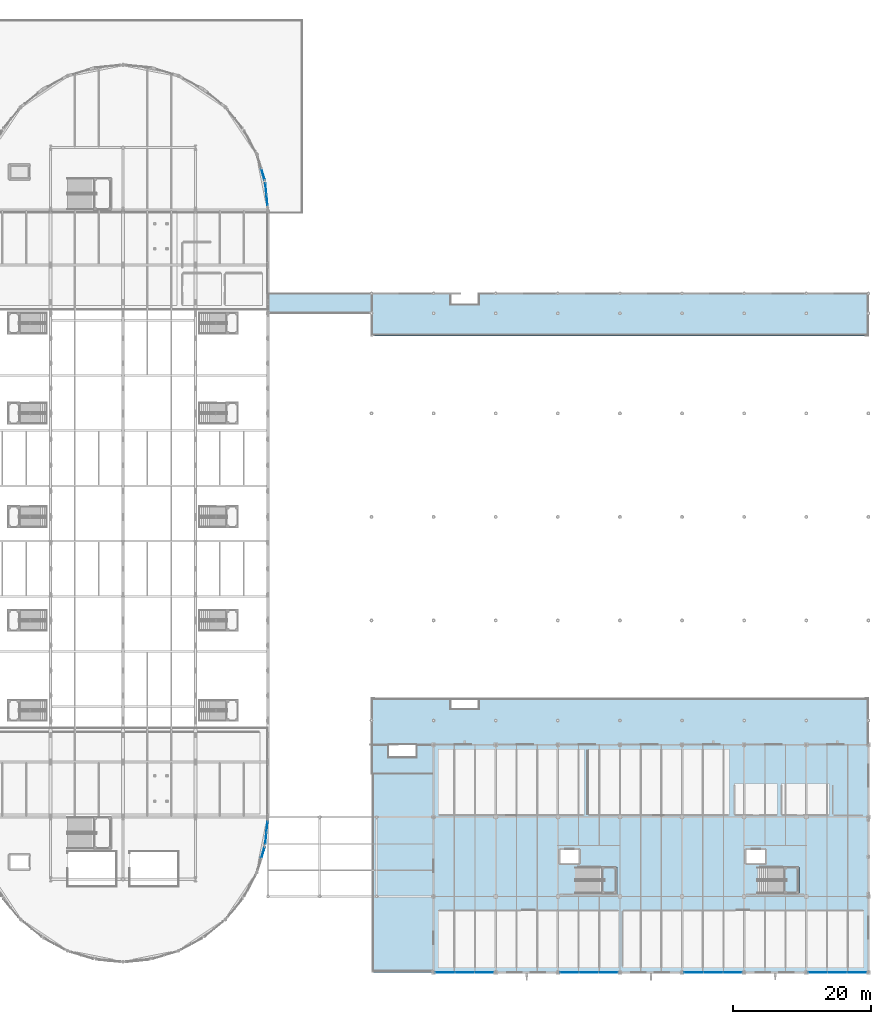
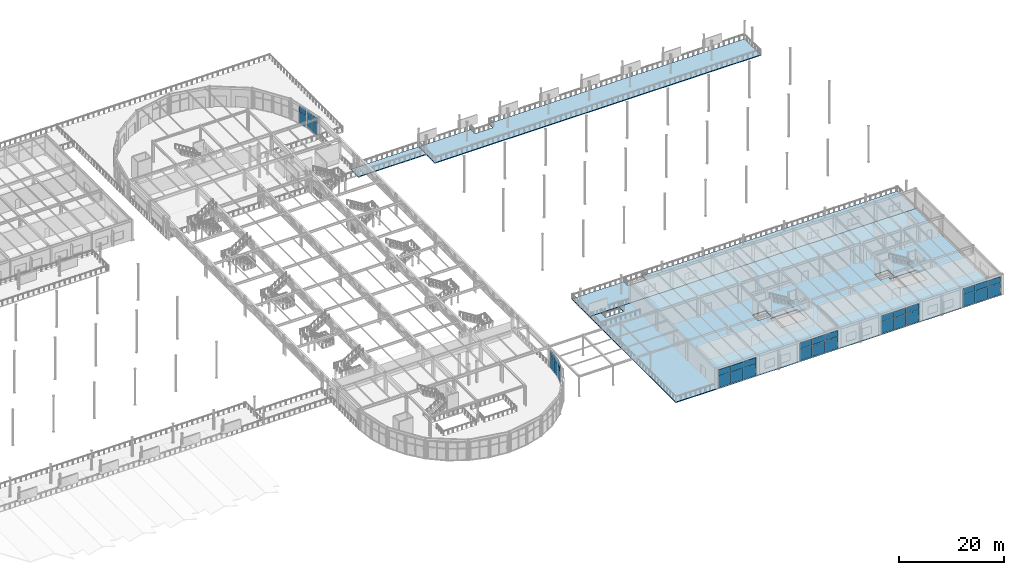
# One storey, part 75 of 143: 36 plates, 6 slabs, 10 elements without a shape of their own.
"""IFC4 building model written with IfcOpenShell, lengths in metres."""

from ifc_helpers import new_model, si_unit, direction, frame, origin, origin_2d, place, context, subcontext, project, spatial, polyline, rectangle, outline, extrude, material, layer, layer_set, type_object, element, aggregate, save


model = new_model("IFC4")

# Units and contexts
model_context = context("Model", 3, precision=1e-05, world=origin(), true_north=direction((0.0, 1.0)))
body_context = subcontext(model_context, "Body", "Model", "MODEL_VIEW")
ifc_project = project(units=[si_unit("LENGTHUNIT", "METRE"), si_unit("AREAUNIT", "SQUARE_METRE"), si_unit("VOLUMEUNIT", "CUBIC_METRE"), si_unit("PLANEANGLEUNIT", "RADIAN"), si_unit("MASSUNIT", "GRAM", prefix="KILO")], contexts=[model_context])

# Site, building, storey
site_placement = place(None, origin())
site = spatial("IfcSite", under=ifc_project, at=site_placement, CompositionType="ELEMENT")
building_placement = place(site_placement, origin())
building = spatial("IfcBuilding", under=site, at=building_placement, Name="Marlcrest Central Station", CompositionType="ELEMENT")
storey_placement = place(building_placement, frame((0.0, 0.0, 4.800048828125)))
storey = spatial("IfcBuildingStorey", under=building, at=storey_placement, Name="L01", CompositionType="ELEMENT", Elevation=4.800048828125)

# Curtain wall, plate
ifc_material_1 = material(Name="Anodised aluminium and hurricane laminated glass", Category="aluminium")
ifc_layer_1 = layer(ifc_material_1, 0.219970703125, Name="CW-U1")
ifc_layer_set_1 = layer_set([ifc_layer_1], Name="Anodised aluminium and hurricane laminated glass")
curtain_wall_type_1 = type_object("IfcCurtainWallType", Name="CW-U1", PredefinedType="USERDEFINED", material=ifc_layer_set_1)
curtain_wall_1_placement = place(storey_placement, origin())
curtain_wall_1 = element("IfcCurtainWall", 1, at=curtain_wall_1_placement, inside=storey, type_object=curtain_wall_type_1, Name="cw-L01-0023", ObjectType="UNITISED_CURTAIN_WALL", PredefinedType="USERDEFINED")
ifc_material_2 = material(Name="Hurricane laminated solar-control glass", Category="glass")
ifc_layer_2 = layer(ifc_material_2, 0.031982421875, Name="CP-01")
ifc_layer_set_2 = layer_set([ifc_layer_2], Name="Hurricane laminated solar-control glass")
plate_type_1 = type_object("IfcPlateType", Name="CP-01", PredefinedType="CURTAIN_PANEL", material=ifc_layer_set_2)
plate_1_placement = place(storey_placement, frame((128.28173828125, 17.3671875, 0.080078125), z_axis=(0.0, 0.0, 1.0), x_axis=(-0.290318080597, -0.956930202302, 0.0)))
plate_1 = element("IfcPlate", 2, at=plate_1_placement, type_object=plate_type_1, Name="cw-L01-0023-cp-lo-0", PredefinedType="CURTAIN_PANEL", context=body_context, shape_type="SweptSolid", body=[
    extrude(rectangle(XDim=1.67724609375, YDim=0.031982421875, at=origin_2d()), origin(), (0.0, 0.0, 1.0), 2.675048828125),
])

# Curtain wall, plates
curtain_wall_2_placement = place(storey_placement, origin())
curtain_wall_2 = element("IfcCurtainWall", 3, at=curtain_wall_2_placement, inside=storey, type_object=curtain_wall_type_1, Name="cw-L01-0024", ObjectType="UNITISED_CURTAIN_WALL", PredefinedType="USERDEFINED")
plate_2_placement = place(storey_placement, frame((128.85986328125, 21.07861328125, 0.080078125), z_axis=(0.0, 0.0, 1.0), x_axis=(-0.098138724349, -0.995172744192, 0.0)))
plate_2 = element("IfcPlate", 4, at=plate_2_placement, type_object=plate_type_1, Name="cw-L01-0024-cp-lo-0", PredefinedType="CURTAIN_PANEL", context=body_context, shape_type="SweptSolid", body=[
    extrude(rectangle(XDim=1.5791015625, YDim=0.031982421875, at=origin_2d()), origin(), (0.0, 0.0, 1.0), 2.675048828125),
])
plate_3_placement = place(storey_placement, frame((128.697509765625, 19.431396484375, 0.080078125), z_axis=(0.0, 0.0, 1.0), x_axis=(-0.098138724349, -0.995172744192, 0.0)))
plate_3 = element("IfcPlate", 5, at=plate_3_placement, type_object=plate_type_1, Name="cw-L01-0024-cp-lo-1", PredefinedType="CURTAIN_PANEL", context=body_context, shape_type="SweptSolid", body=[
    extrude(rectangle(XDim=1.5791015625, YDim=0.031982421875, at=origin_2d()), origin(), (0.0, 0.0, 1.0), 2.675048828125),
])

# Curtain wall, plate
curtain_wall_3_placement = place(storey_placement, origin())
curtain_wall_3 = element("IfcCurtainWall", 6, at=curtain_wall_3_placement, inside=storey, type_object=curtain_wall_type_1, Name="cw-L01-0065", ObjectType="UNITISED_CURTAIN_WALL", PredefinedType="USERDEFINED")
plate_4_placement = place(storey_placement, frame((128.28173828125, 115.6328125, 0.080078125), z_axis=(0.0, 0.0, 1.0), x_axis=(0.290318080597, -0.956930202302, 0.0)))
plate_4 = element("IfcPlate", 7, at=plate_4_placement, type_object=plate_type_1, Name="cw-L01-0065-cp-lo-1", PredefinedType="CURTAIN_PANEL", context=body_context, shape_type="SweptSolid", body=[
    extrude(rectangle(XDim=1.67724609375, YDim=0.031982421875, at=origin_2d()), origin(), (0.0, 0.0, 1.0), 2.675048828125),
])

# Curtain wall, plates
curtain_wall_4_placement = place(storey_placement, origin())
curtain_wall_4 = element("IfcCurtainWall", 8, at=curtain_wall_4_placement, inside=storey, type_object=curtain_wall_type_1, Name="cw-L01-0066", ObjectType="UNITISED_CURTAIN_WALL", PredefinedType="USERDEFINED")
plate_5_placement = place(storey_placement, frame((128.697509765625, 113.568603515625, 0.080078125), z_axis=(0.0, 0.0, 1.0), x_axis=(0.098138724349, -0.995172744192, 0.0)))
plate_5 = element("IfcPlate", 9, at=plate_5_placement, type_object=plate_type_1, Name="cw-L01-0066-cp-lo-0", PredefinedType="CURTAIN_PANEL", context=body_context, shape_type="SweptSolid", body=[
    extrude(rectangle(XDim=1.5791015625, YDim=0.031982421875, at=origin_2d()), origin(), (0.0, 0.0, 1.0), 2.675048828125),
])
plate_6_placement = place(storey_placement, frame((128.85986328125, 111.92138671875, 0.080078125), z_axis=(0.0, 0.0, 1.0), x_axis=(0.098138724349, -0.995172744192, 0.0)))
plate_6 = element("IfcPlate", 10, at=plate_6_placement, type_object=plate_type_1, Name="cw-L01-0066-cp-lo-1", PredefinedType="CURTAIN_PANEL", context=body_context, shape_type="SweptSolid", body=[
    extrude(rectangle(XDim=1.5791015625, YDim=0.031982421875, at=origin_2d()), origin(), (0.0, 0.0, 1.0), 2.675048828125),
])

ifc_layer_3 = layer(ifc_material_1, 0.179931640625, Name="CW-S1")
ifc_layer_set_3 = layer_set([ifc_layer_3], Name="Anodised aluminium and hurricane laminated glass")
curtain_wall_type_2 = type_object("IfcCurtainWallType", Name="CW-S1", PredefinedType="USERDEFINED", material=ifc_layer_set_3)
curtain_wall_5_placement = place(storey_placement, origin())
curtain_wall_5 = element("IfcCurtainWall", 11, at=curtain_wall_5_placement, inside=storey, type_object=curtain_wall_type_2, Name="cw-L01-0149", ObjectType="STICK_CURTAIN_WALL", PredefinedType="USERDEFINED")
ifc_layer_4 = layer(ifc_material_2, 0.035888671875, Name="CP-02")
ifc_layer_set_4 = layer_set([ifc_layer_4], Name="Hurricane laminated solar-control glass")
plate_type_2 = type_object("IfcPlateType", Name="CP-02", PredefinedType="CURTAIN_PANEL", material=ifc_layer_set_4)
plate_7_placement = place(storey_placement, frame((160.300048828125, 0.0, 0.079833984375), z_axis=(0.0, 0.0, 1.0), x_axis=(-1.0, 0.0, 0.0)))
plate_7 = element("IfcPlate", 12, at=plate_7_placement, type_object=plate_type_2, Name="cw-L01-0149-cp-lo-0", PredefinedType="CURTAIN_PANEL", context=body_context, shape_type="SweptSolid", body=[
    extrude(rectangle(XDim=2.73388671875, YDim=0.035888671875, at=origin_2d()), origin(), (0.0, 0.0, 1.0), 2.7080078125),
])
plate_8_placement = place(storey_placement, frame((157.5, 0.0, 0.079833984375), z_axis=(0.0, 0.0, 1.0), x_axis=(-1.0, 0.0, 0.0)))
plate_8 = element("IfcPlate", 13, at=plate_8_placement, type_object=plate_type_2, Name="cw-L01-0149-cp-lo-1", PredefinedType="CURTAIN_PANEL", context=body_context, shape_type="SweptSolid", body=[
    extrude(rectangle(XDim=2.73388671875, YDim=0.035888671875, at=origin_2d()), origin(), (0.0, 0.0, 1.0), 2.7080078125),
])
plate_9_placement = place(storey_placement, frame((154.699951171875, 0.0, 0.079833984375), z_axis=(0.0, 0.0, 1.0), x_axis=(-1.0, 0.0, 0.0)))
plate_9 = element("IfcPlate", 14, at=plate_9_placement, type_object=plate_type_2, Name="cw-L01-0149-cp-lo-2", PredefinedType="CURTAIN_PANEL", context=body_context, shape_type="SweptSolid", body=[
    extrude(rectangle(XDim=2.73388671875, YDim=0.035888671875, at=origin_2d()), origin(), (0.0, 0.0, 1.0), 2.7080078125),
])

curtain_wall_6_placement = place(storey_placement, origin())
curtain_wall_6 = element("IfcCurtainWall", 15, at=curtain_wall_6_placement, inside=storey, type_object=curtain_wall_type_2, Name="cw-L01-0150", ObjectType="STICK_CURTAIN_WALL", PredefinedType="USERDEFINED")
plate_10_placement = place(storey_placement, frame((178.300048828125, 0.0, 0.079833984375), z_axis=(0.0, 0.0, 1.0), x_axis=(-1.0, 0.0, 0.0)))
plate_10 = element("IfcPlate", 16, at=plate_10_placement, type_object=plate_type_2, Name="cw-L01-0150-cp-lo-0", PredefinedType="CURTAIN_PANEL", context=body_context, shape_type="SweptSolid", body=[
    extrude(rectangle(XDim=2.73388671875, YDim=0.035888671875, at=origin_2d()), origin(), (0.0, 0.0, 1.0), 2.7080078125),
])
plate_11_placement = place(storey_placement, frame((175.5, 0.0, 0.079833984375), z_axis=(0.0, 0.0, 1.0), x_axis=(-1.0, 0.0, 0.0)))
plate_11 = element("IfcPlate", 17, at=plate_11_placement, type_object=plate_type_2, Name="cw-L01-0150-cp-lo-1", PredefinedType="CURTAIN_PANEL", context=body_context, shape_type="SweptSolid", body=[
    extrude(rectangle(XDim=2.73388671875, YDim=0.035888671875, at=origin_2d()), origin(), (0.0, 0.0, 1.0), 2.7080078125),
])
plate_12_placement = place(storey_placement, frame((172.699951171875, 0.0, 0.079833984375), z_axis=(0.0, 0.0, 1.0), x_axis=(-1.0, 0.0, 0.0)))
plate_12 = element("IfcPlate", 18, at=plate_12_placement, type_object=plate_type_2, Name="cw-L01-0150-cp-lo-2", PredefinedType="CURTAIN_PANEL", context=body_context, shape_type="SweptSolid", body=[
    extrude(rectangle(XDim=2.73388671875, YDim=0.035888671875, at=origin_2d()), origin(), (0.0, 0.0, 1.0), 2.7080078125),
])

curtain_wall_7_placement = place(storey_placement, origin())
curtain_wall_7 = element("IfcCurtainWall", 19, at=curtain_wall_7_placement, inside=storey, type_object=curtain_wall_type_2, Name="cw-L01-0151", ObjectType="STICK_CURTAIN_WALL", PredefinedType="USERDEFINED")
plate_13_placement = place(storey_placement, frame((196.300048828125, 0.0, 0.079833984375), z_axis=(0.0, 0.0, 1.0), x_axis=(-1.0, 0.0, 0.0)))
plate_13 = element("IfcPlate", 20, at=plate_13_placement, type_object=plate_type_2, Name="cw-L01-0151-cp-lo-0", PredefinedType="CURTAIN_PANEL", context=body_context, shape_type="SweptSolid", body=[
    extrude(rectangle(XDim=2.73388671875, YDim=0.035888671875, at=origin_2d()), origin(), (0.0, 0.0, 1.0), 2.7080078125),
])
plate_14_placement = place(storey_placement, frame((193.5, 0.0, 0.079833984375), z_axis=(0.0, 0.0, 1.0), x_axis=(-1.0, 0.0, 0.0)))
plate_14 = element("IfcPlate", 21, at=plate_14_placement, type_object=plate_type_2, Name="cw-L01-0151-cp-lo-1", PredefinedType="CURTAIN_PANEL", context=body_context, shape_type="SweptSolid", body=[
    extrude(rectangle(XDim=2.73388671875, YDim=0.035888671875, at=origin_2d()), origin(), (0.0, 0.0, 1.0), 2.7080078125),
])
plate_15_placement = place(storey_placement, frame((190.699951171875, 0.0, 0.079833984375), z_axis=(0.0, 0.0, 1.0), x_axis=(-1.0, 0.0, 0.0)))
plate_15 = element("IfcPlate", 22, at=plate_15_placement, type_object=plate_type_2, Name="cw-L01-0151-cp-lo-2", PredefinedType="CURTAIN_PANEL", context=body_context, shape_type="SweptSolid", body=[
    extrude(rectangle(XDim=2.73388671875, YDim=0.035888671875, at=origin_2d()), origin(), (0.0, 0.0, 1.0), 2.7080078125),
])

curtain_wall_8_placement = place(storey_placement, origin())
curtain_wall_8 = element("IfcCurtainWall", 23, at=curtain_wall_8_placement, inside=storey, type_object=curtain_wall_type_2, Name="cw-L01-0152", ObjectType="STICK_CURTAIN_WALL", PredefinedType="USERDEFINED")
plate_16_placement = place(storey_placement, frame((214.300048828125, 0.0, 0.079833984375), z_axis=(0.0, 0.0, 1.0), x_axis=(-1.0, 0.0, 0.0)))
plate_16 = element("IfcPlate", 24, at=plate_16_placement, type_object=plate_type_2, Name="cw-L01-0152-cp-lo-0", PredefinedType="CURTAIN_PANEL", context=body_context, shape_type="SweptSolid", body=[
    extrude(rectangle(XDim=2.73388671875, YDim=0.035888671875, at=origin_2d()), origin(), (0.0, 0.0, 1.0), 2.7080078125),
])
plate_17_placement = place(storey_placement, frame((211.5, 0.0, 0.079833984375), z_axis=(0.0, 0.0, 1.0), x_axis=(-1.0, 0.0, 0.0)))
plate_17 = element("IfcPlate", 25, at=plate_17_placement, type_object=plate_type_2, Name="cw-L01-0152-cp-lo-1", PredefinedType="CURTAIN_PANEL", context=body_context, shape_type="SweptSolid", body=[
    extrude(rectangle(XDim=2.73388671875, YDim=0.035888671875, at=origin_2d()), origin(), (0.0, 0.0, 1.0), 2.7080078125),
])
plate_18_placement = place(storey_placement, frame((208.699951171875, 0.0, 0.079833984375), z_axis=(0.0, 0.0, 1.0), x_axis=(-1.0, 0.0, 0.0)))
plate_18 = element("IfcPlate", 26, at=plate_18_placement, type_object=plate_type_2, Name="cw-L01-0152-cp-lo-2", PredefinedType="CURTAIN_PANEL", context=body_context, shape_type="SweptSolid", body=[
    extrude(rectangle(XDim=2.73388671875, YDim=0.035888671875, at=origin_2d()), origin(), (0.0, 0.0, 1.0), 2.7080078125),
])

# Plate
ifc_material_3 = material(Name="Insulated bronze-anodised aluminium spandrel panel", Category="aluminium")
ifc_layer_5 = layer(ifc_material_3, 0.06005859375, Name="CP-04")
ifc_layer_set_5 = layer_set([ifc_layer_5], Name="Insulated bronze-anodised aluminium spandrel panel")
plate_type_3 = type_object("IfcPlateType", Name="CP-04", PredefinedType="CURTAIN_PANEL", material=ifc_layer_set_5)
plate_19_placement = place(storey_placement, frame((128.85986328125, 21.07861328125, 2.8349609375), z_axis=(0.0, 0.0, 1.0), x_axis=(-0.098138724349, -0.995172744192, 0.0)))
plate_19 = element("IfcPlate", 27, at=plate_19_placement, type_object=plate_type_3, Name="cw-L01-0024-cp-hi-0", PredefinedType="CURTAIN_PANEL", context=body_context, shape_type="SweptSolid", body=[
    extrude(rectangle(XDim=1.5791015625, YDim=0.06005859375, at=origin_2d()), origin(), (0.0, 0.0, 1.0), 1.385009765625),
])

plate_20_placement = place(storey_placement, frame((128.697509765625, 19.431396484375, 2.8349609375), z_axis=(0.0, 0.0, 1.0), x_axis=(-0.098138724349, -0.995172744192, 0.0)))
plate_20 = element("IfcPlate", 28, at=plate_20_placement, type_object=plate_type_3, Name="cw-L01-0024-cp-hi-1", PredefinedType="CURTAIN_PANEL", context=body_context, shape_type="SweptSolid", body=[
    extrude(rectangle(XDim=1.5791015625, YDim=0.06005859375, at=origin_2d()), origin(), (0.0, 0.0, 1.0), 1.385009765625),
])

aggregate(curtain_wall_2, [plate_2, plate_19, plate_3, plate_20])

plate_21_placement = place(storey_placement, frame((128.697509765625, 113.568603515625, 2.8349609375), z_axis=(0.0, 0.0, 1.0), x_axis=(0.098138724349, -0.995172744192, 0.0)))
plate_21 = element("IfcPlate", 29, at=plate_21_placement, type_object=plate_type_3, Name="cw-L01-0066-cp-hi-0", PredefinedType="CURTAIN_PANEL", context=body_context, shape_type="SweptSolid", body=[
    extrude(rectangle(XDim=1.5791015625, YDim=0.06005859375, at=origin_2d()), origin(), (0.0, 0.0, 1.0), 1.385009765625),
])

plate_22_placement = place(storey_placement, frame((128.85986328125, 111.92138671875, 2.8349609375), z_axis=(0.0, 0.0, 1.0), x_axis=(0.098138724349, -0.995172744192, 0.0)))
plate_22 = element("IfcPlate", 30, at=plate_22_placement, type_object=plate_type_3, Name="cw-L01-0066-cp-hi-1", PredefinedType="CURTAIN_PANEL", context=body_context, shape_type="SweptSolid", body=[
    extrude(rectangle(XDim=1.5791015625, YDim=0.06005859375, at=origin_2d()), origin(), (0.0, 0.0, 1.0), 1.385009765625),
])

aggregate(curtain_wall_4, [plate_5, plate_21, plate_6, plate_22])

plate_23_placement = place(storey_placement, frame((178.300048828125, 0.0, 2.86767578125), z_axis=(0.0, 0.0, 1.0), x_axis=(-1.0, 0.0, 0.0)))
plate_23 = element("IfcPlate", 31, at=plate_23_placement, type_object=plate_type_3, Name="cw-L01-0150-cp-hi-0", PredefinedType="CURTAIN_PANEL", context=body_context, shape_type="SweptSolid", body=[
    extrude(rectangle(XDim=2.73388671875, YDim=0.06005859375, at=origin_2d()), origin(), (0.0, 0.0, 1.0), 1.402099609375),
])

plate_24_placement = place(storey_placement, frame((175.5, 0.0, 2.86767578125), z_axis=(0.0, 0.0, 1.0), x_axis=(-1.0, 0.0, 0.0)))
plate_24 = element("IfcPlate", 32, at=plate_24_placement, type_object=plate_type_3, Name="cw-L01-0150-cp-hi-1", PredefinedType="CURTAIN_PANEL", context=body_context, shape_type="SweptSolid", body=[
    extrude(rectangle(XDim=2.73388671875, YDim=0.06005859375, at=origin_2d()), origin(), (0.0, 0.0, 1.0), 1.402099609375),
])

plate_25_placement = place(storey_placement, frame((172.699951171875, 0.0, 2.86767578125), z_axis=(0.0, 0.0, 1.0), x_axis=(-1.0, 0.0, 0.0)))
plate_25 = element("IfcPlate", 33, at=plate_25_placement, type_object=plate_type_3, Name="cw-L01-0150-cp-hi-2", PredefinedType="CURTAIN_PANEL", context=body_context, shape_type="SweptSolid", body=[
    extrude(rectangle(XDim=2.73388671875, YDim=0.06005859375, at=origin_2d()), origin(), (0.0, 0.0, 1.0), 1.402099609375),
])

aggregate(curtain_wall_6, [plate_10, plate_23, plate_11, plate_24, plate_12, plate_25])

ifc_layer_6 = layer(ifc_material_3, 0.050048828125, Name="CP-05")
ifc_layer_set_6 = layer_set([ifc_layer_6], Name="Insulated bronze-anodised aluminium spandrel panel")
plate_type_4 = type_object("IfcPlateType", Name="CP-05", PredefinedType="CURTAIN_PANEL", material=ifc_layer_set_6)
plate_26_placement = place(storey_placement, frame((196.300048828125, 0.0, 2.86767578125), z_axis=(0.0, 0.0, 1.0), x_axis=(-1.0, 0.0, 0.0)))
plate_26 = element("IfcPlate", 34, at=plate_26_placement, type_object=plate_type_4, Name="cw-L01-0151-cp-hi-0", PredefinedType="CURTAIN_PANEL", context=body_context, shape_type="SweptSolid", body=[
    extrude(rectangle(XDim=2.73388671875, YDim=0.050048828125, at=origin_2d()), origin(), (0.0, 0.0, 1.0), 1.402099609375),
])

plate_27_placement = place(storey_placement, frame((193.5, 0.0, 2.86767578125), z_axis=(0.0, 0.0, 1.0), x_axis=(-1.0, 0.0, 0.0)))
plate_27 = element("IfcPlate", 35, at=plate_27_placement, type_object=plate_type_4, Name="cw-L01-0151-cp-hi-1", PredefinedType="CURTAIN_PANEL", context=body_context, shape_type="SweptSolid", body=[
    extrude(rectangle(XDim=2.73388671875, YDim=0.050048828125, at=origin_2d()), origin(), (0.0, 0.0, 1.0), 1.402099609375),
])

plate_28_placement = place(storey_placement, frame((190.699951171875, 0.0, 2.86767578125), z_axis=(0.0, 0.0, 1.0), x_axis=(-1.0, 0.0, 0.0)))
plate_28 = element("IfcPlate", 36, at=plate_28_placement, type_object=plate_type_4, Name="cw-L01-0151-cp-hi-2", PredefinedType="CURTAIN_PANEL", context=body_context, shape_type="SweptSolid", body=[
    extrude(rectangle(XDim=2.73388671875, YDim=0.050048828125, at=origin_2d()), origin(), (0.0, 0.0, 1.0), 1.402099609375),
])

aggregate(curtain_wall_7, [plate_13, plate_26, plate_14, plate_27, plate_15, plate_28])

ifc_material_4 = material(Name="Insulated acoustic spandrel panel")
ifc_layer_7 = layer(ifc_material_4, 0.074951171875, Name="CP-06")
ifc_layer_set_7 = layer_set([ifc_layer_7], Name="Insulated acoustic spandrel panel")
plate_type_5 = type_object("IfcPlateType", Name="CP-06", PredefinedType="CURTAIN_PANEL", material=ifc_layer_set_7)
plate_29_placement = place(storey_placement, frame((214.300048828125, 0.0, 2.86767578125), z_axis=(0.0, 0.0, 1.0), x_axis=(-1.0, 0.0, 0.0)))
plate_29 = element("IfcPlate", 37, at=plate_29_placement, type_object=plate_type_5, Name="cw-L01-0152-cp-hi-0", PredefinedType="CURTAIN_PANEL", context=body_context, shape_type="SweptSolid", body=[
    extrude(rectangle(XDim=2.73388671875, YDim=0.074951171875, at=origin_2d()), origin(), (0.0, 0.0, 1.0), 1.402099609375),
])

plate_30_placement = place(storey_placement, frame((211.5, 0.0, 2.86767578125), z_axis=(0.0, 0.0, 1.0), x_axis=(-1.0, 0.0, 0.0)))
plate_30 = element("IfcPlate", 38, at=plate_30_placement, type_object=plate_type_5, Name="cw-L01-0152-cp-hi-1", PredefinedType="CURTAIN_PANEL", context=body_context, shape_type="SweptSolid", body=[
    extrude(rectangle(XDim=2.73388671875, YDim=0.074951171875, at=origin_2d()), origin(), (0.0, 0.0, 1.0), 1.402099609375),
])

plate_31_placement = place(storey_placement, frame((208.699951171875, 0.0, 2.86767578125), z_axis=(0.0, 0.0, 1.0), x_axis=(-1.0, 0.0, 0.0)))
plate_31 = element("IfcPlate", 39, at=plate_31_placement, type_object=plate_type_5, Name="cw-L01-0152-cp-hi-2", PredefinedType="CURTAIN_PANEL", context=body_context, shape_type="SweptSolid", body=[
    extrude(rectangle(XDim=2.73388671875, YDim=0.074951171875, at=origin_2d()), origin(), (0.0, 0.0, 1.0), 1.402099609375),
])

aggregate(curtain_wall_8, [plate_16, plate_29, plate_17, plate_30, plate_18, plate_31])

ifc_material_5 = material(Name="Insulated fire-safing spandrel panel")
ifc_layer_8 = layer(ifc_material_5, 0.1201171875, Name="CP-09")
ifc_layer_set_8 = layer_set([ifc_layer_8], Name="Insulated fire-safing spandrel panel")
plate_type_6 = type_object("IfcPlateType", Name="CP-09", PredefinedType="CURTAIN_PANEL", material=ifc_layer_set_8)
plate_32_placement = place(storey_placement, frame((128.28173828125, 17.3671875, 2.8349609375), z_axis=(0.0, 0.0, 1.0), x_axis=(-0.290318080597, -0.956930202302, 0.0)))
plate_32 = element("IfcPlate", 40, at=plate_32_placement, type_object=plate_type_6, Name="cw-L01-0023-cp-hi-0", PredefinedType="CURTAIN_PANEL", context=body_context, shape_type="SweptSolid", body=[
    extrude(rectangle(XDim=1.67724609375, YDim=0.1201171875, at=origin_2d()), origin(), (0.0, 0.0, 1.0), 1.385009765625),
])

aggregate(curtain_wall_1, [plate_1, plate_32])

plate_33_placement = place(storey_placement, frame((128.28173828125, 115.6328125, 2.8349609375), z_axis=(0.0, 0.0, 1.0), x_axis=(0.290318080597, -0.956930202302, 0.0)))
plate_33 = element("IfcPlate", 41, at=plate_33_placement, type_object=plate_type_6, Name="cw-L01-0065-cp-hi-1", PredefinedType="CURTAIN_PANEL", context=body_context, shape_type="SweptSolid", body=[
    extrude(rectangle(XDim=1.67724609375, YDim=0.1201171875, at=origin_2d()), origin(), (0.0, 0.0, 1.0), 1.385009765625),
])

aggregate(curtain_wall_3, [plate_4, plate_33])

plate_34_placement = place(storey_placement, frame((160.300048828125, 0.0, 2.86767578125), z_axis=(0.0, 0.0, 1.0), x_axis=(-1.0, 0.0, 0.0)))
plate_34 = element("IfcPlate", 42, at=plate_34_placement, type_object=plate_type_6, Name="cw-L01-0149-cp-hi-0", PredefinedType="CURTAIN_PANEL", context=body_context, shape_type="SweptSolid", body=[
    extrude(rectangle(XDim=2.73388671875, YDim=0.1201171875, at=origin_2d()), origin(), (0.0, 0.0, 1.0), 1.402099609375),
])

plate_35_placement = place(storey_placement, frame((157.5, 0.0, 2.86767578125), z_axis=(0.0, 0.0, 1.0), x_axis=(-1.0, 0.0, 0.0)))
plate_35 = element("IfcPlate", 43, at=plate_35_placement, type_object=plate_type_6, Name="cw-L01-0149-cp-hi-1", PredefinedType="CURTAIN_PANEL", context=body_context, shape_type="SweptSolid", body=[
    extrude(rectangle(XDim=2.73388671875, YDim=0.1201171875, at=origin_2d()), origin(), (0.0, 0.0, 1.0), 1.402099609375),
])

plate_36_placement = place(storey_placement, frame((154.699951171875, 0.0, 2.86767578125), z_axis=(0.0, 0.0, 1.0), x_axis=(-1.0, 0.0, 0.0)))
plate_36 = element("IfcPlate", 44, at=plate_36_placement, type_object=plate_type_6, Name="cw-L01-0149-cp-hi-2", PredefinedType="CURTAIN_PANEL", context=body_context, shape_type="SweptSolid", body=[
    extrude(rectangle(XDim=2.73388671875, YDim=0.1201171875, at=origin_2d()), origin(), (0.0, 0.0, 1.0), 1.402099609375),
])

aggregate(curtain_wall_5, [plate_7, plate_34, plate_8, plate_35, plate_9, plate_36])

# Slabs
ifc_material_6 = material(Name="Concrete C35/45", Category="concrete")
ifc_layer_9 = layer(ifc_material_6, 0.18994140625, Name="FS-02")
ifc_layer_set_9 = layer_set([ifc_layer_9], Name="Concrete C35/45")
slab_type_1 = type_object("IfcSlabType", Name="FS-02", PredefinedType="FLOOR", material=ifc_layer_set_9)
slab_1_placement = place(storey_placement, frame((0.0, 0.0, -0.18994140625)))
element("IfcSlab", 45, at=slab_1_placement, inside=storey, type_object=slab_type_1, Name="slab-L01-0015", PredefinedType="FLOOR", context=body_context, shape_type="SweptSolid", body=[
    extrude(outline(polyline([(144.0, 0.0), (216.0, 0.0), (216.0, 33.0), (150.5, 33.0), (150.5, 31.199951171875), (146.5, 31.199951171875), (146.5, 33.0), (144.0, 33.0), (144.0, 0.0)]), holes=[polyline([(173.60009765625, 11.5), (179.64990234375, 11.5), (179.64990234375, 15.199951171875), (173.60009765625, 15.199951171875), (173.60009765625, 11.5)]), polyline([(171.219970703125, 15.719970703125), (174.179931640625, 15.719970703125), (174.179931640625, 17.8798828125), (171.219970703125, 17.8798828125), (171.219970703125, 15.719970703125)]), polyline([(200.0, 11.5), (206.050048828125, 11.5), (206.050048828125, 15.199951171875), (200.0, 15.199951171875), (200.0, 11.5)]), polyline([(198.219970703125, 15.719970703125), (201.179931640625, 15.719970703125), (201.179931640625, 17.8798828125), (198.219970703125, 17.8798828125), (198.219970703125, 15.719970703125)])]), origin(), (0.0, 0.0, 1.0), 0.18994140625),
])
slab_2_placement = place(storey_placement, frame((0.0, 0.0, -0.18994140625)))
element("IfcSlab", 46, at=slab_2_placement, inside=storey, type_object=slab_type_1, Name="slab-L01-0086", PredefinedType="FLOOR", context=body_context, shape_type="SweptSolid", body=[
    extrude(outline(polyline([(144.0, 33.0), (144.0, 39.800048828125), (155.5, 39.800048828125), (155.5, 38.199951171875), (159.5, 38.199951171875), (159.5, 39.800048828125), (216.0, 39.800048828125), (216.0, 33.0), (144.0, 33.0)])), origin(), (0.0, 0.0, 1.0), 0.18994140625),
])
slab_3_placement = place(storey_placement, frame((0.0, 0.0, -0.18994140625)))
element("IfcSlab", 47, at=slab_3_placement, inside=storey, type_object=slab_type_1, Name="slab-L01-0087", PredefinedType="FLOOR", context=body_context, shape_type="SweptSolid", body=[
    extrude(outline(polyline([(144.0, 92.199951171875), (216.0, 92.199951171875), (216.0, 98.39990234375), (159.5, 98.39990234375), (159.5, 96.800048828125), (155.5, 96.800048828125), (155.5, 98.39990234375), (144.0, 98.39990234375), (144.0, 92.199951171875)])), origin(), (0.0, 0.0, 1.0), 0.18994140625),
])
slab_4_placement = place(storey_placement, frame((0.0, 0.0, -0.18994140625)))
element("IfcSlab", 48, at=slab_4_placement, inside=storey, type_object=slab_type_1, Name="slab-L01-0089", PredefinedType="FLOOR", context=body_context, shape_type="SweptSolid", body=[
    extrude(outline(polyline([(129.0, 95.5), (129.0, 98.39990234375), (144.0, 98.39990234375), (144.0, 95.5), (129.0, 95.5)])), origin(), (0.0, 0.0, 1.0), 0.18994140625),
])

# Stair, slab
stair_type = type_object("IfcStairType", Name="ST-HTS", PredefinedType="HALF_TURN_STAIR", material=ifc_material_6)
stair_1_placement = place(storey_placement, origin())
stair_1 = element("IfcStair", 49, at=stair_1_placement, inside=storey, type_object=stair_type, Name="ST-R11", PredefinedType="HALF_TURN_STAIR")
ifc_layer_10 = layer(ifc_material_6, 0.320068359375, Name="LS-01")
ifc_layer_set_10 = layer_set([ifc_layer_10], Name="Concrete C35/45")
slab_type_2 = type_object("IfcSlabType", Name="LS-01", PredefinedType="LANDING", material=ifc_layer_set_10)
slab_5_placement = place(storey_placement, frame((0.0, 0.0, 2.179931640625)))
slab_5 = element("IfcSlab", 50, at=slab_5_placement, type_object=slab_type_2, Name="ST-R11-L1", PredefinedType="LANDING", context=body_context, shape_type="SweptSolid", body=[
    extrude(outline(polyline([(177.429931640625, 11.469970703125), (179.429931640625, 11.469970703125), (179.429931640625, 15.22998046875), (177.429931640625, 15.22998046875), (177.429931640625, 13.409912109375), (177.679931640625, 13.409912109375), (177.679931640625, 13.2900390625), (177.429931640625, 13.2900390625), (177.429931640625, 11.469970703125)])), origin(), (0.0, 0.0, 1.0), 0.320068359375),
])
aggregate(stair_1, [slab_5])

stair_2_placement = place(storey_placement, origin())
stair_2 = element("IfcStair", 51, at=stair_2_placement, inside=storey, type_object=stair_type, Name="ST-R21", PredefinedType="HALF_TURN_STAIR")
slab_6_placement = place(storey_placement, frame((0.0, 0.0, 2.179931640625)))
slab_6 = element("IfcSlab", 52, at=slab_6_placement, type_object=slab_type_2, Name="ST-R21-L1", PredefinedType="LANDING", context=body_context, shape_type="SweptSolid", body=[
    extrude(outline(polyline([(203.830078125, 11.469970703125), (205.830078125, 11.469970703125), (205.830078125, 15.22998046875), (203.830078125, 15.22998046875), (203.830078125, 13.409912109375), (204.080078125, 13.409912109375), (204.080078125, 13.2900390625), (203.830078125, 13.2900390625), (203.830078125, 11.469970703125)])), origin(), (0.0, 0.0, 1.0), 0.320068359375),
])
aggregate(stair_2, [slab_6])

save(model, "model.ifc")
